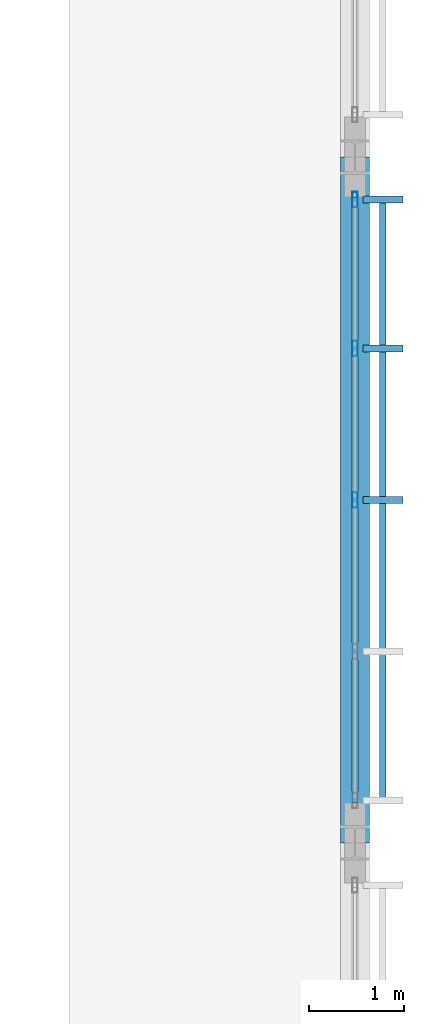
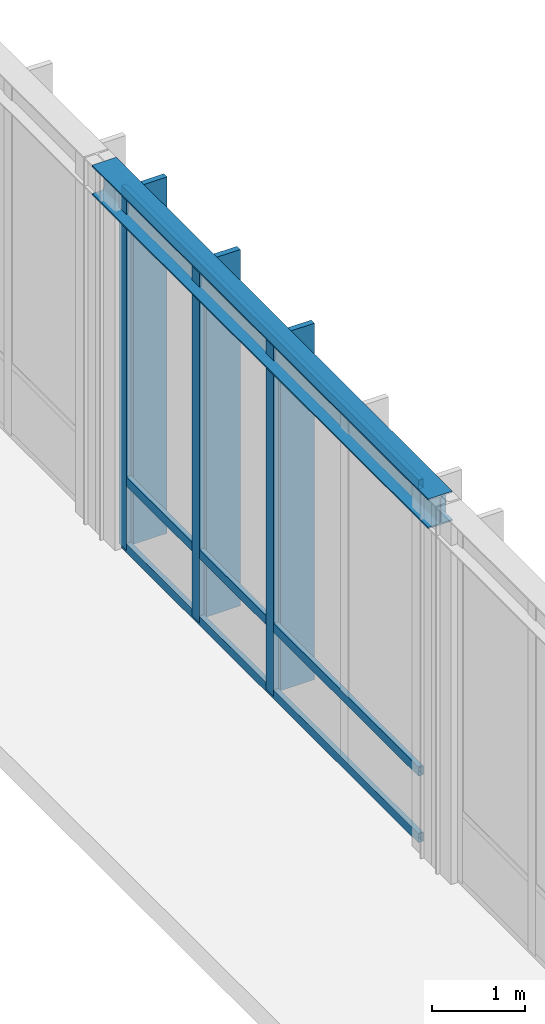
# One storey, part 111 of 177: 10 members, 1 beam, 1 element without a shape of its own.
"""IFC4 building model written with IfcOpenShell, lengths in metres."""

from ifc_helpers import new_model, si_unit, direction, frame, origin, origin_2d, place, context, subcontext, project, spatial, rectangle, hollow_rectangle, i_section, extrude, material, material_profile, profile_set, type_object, element, aggregate, save


model = new_model("IFC4")

# Units and contexts
model_context = context("Model", 3, precision=1e-05, world=origin(), true_north=direction((0.0, 1.0)))
body_context = subcontext(model_context, "Body", "Model", "MODEL_VIEW")
ifc_project = project(units=[si_unit("LENGTHUNIT", "METRE"), si_unit("AREAUNIT", "SQUARE_METRE"), si_unit("VOLUMEUNIT", "CUBIC_METRE"), si_unit("PLANEANGLEUNIT", "RADIAN"), si_unit("MASSUNIT", "GRAM", prefix="KILO")], contexts=[model_context])

# Site, building, storey
site_placement = place(None, origin())
site = spatial("IfcSite", under=ifc_project, at=site_placement, CompositionType="ELEMENT")
building_placement = place(site_placement, origin())
building = spatial("IfcBuilding", under=site, at=building_placement, Name="Chiffa Square Polytechnic", CompositionType="ELEMENT")
storey_placement = place(building_placement, frame((0.0, 0.0, 4.800048828125)))
storey = spatial("IfcBuildingStorey", under=building, at=storey_placement, Name="L01", CompositionType="ELEMENT", Elevation=4.800048828125)

# Beam
ifc_material_1 = material(Name="Steel S355", Category="steel")
ifc_material_profile_1 = material_profile(ifc_material_1, i_section(OverallWidth=0.300048828125, OverallDepth=0.389892578125, WebThickness=0.010986328125, FlangeThickness=0.01904296875, FilletRadius=0.027099609375, at=origin_2d()), Name="HEA 400")
ifc_profile_set_1 = profile_set([ifc_material_profile_1], Name="Steel S355")
beam_type = type_object("IfcBeamType", Name="BM-STL-HEA400", PredefinedType="BEAM", material=ifc_profile_set_1)
beam_placement = place(storey_placement, frame((175.199951171875, 72.60009765625, 4.60498046875), z_axis=(0.0, 1.0, 0.0), x_axis=(-1.0, 0.0, 0.0)))
element("IfcBeam", 1, at=beam_placement, inside=storey, type_object=beam_type, Name="Workshop east gable tie girder BM-V2-GBLTIE-E3", PredefinedType="BEAM", context=body_context, shape_type="SweptSolid", body=[
    extrude(i_section(OverallWidth=0.300048828125, OverallDepth=0.389892578125, WebThickness=0.010986328125, FlangeThickness=0.01904296875, FilletRadius=0.027099609375, at=origin_2d()), origin(), (0.0, 0.0, 1.0), 7.199951171875),
])

# Curtain wall, members
ifc_material_2 = material(Name="Aluminium EN AW-6060 T66 and glulam shading", Category="wood")
curtain_wall_type = type_object("IfcCurtainWallType", Name="CW-VERT-300X380", PredefinedType="USERDEFINED", material=ifc_material_2)
curtain_wall_placement = place(storey_placement, origin())
curtain_wall = element("IfcCurtainWall", 2, at=curtain_wall_placement, inside=storey, type_object=curtain_wall_type, Name="Curtain wall CW-V2-L01E-03", ObjectType="CURTAIN WALL", PredefinedType="USERDEFINED")
ifc_material_3 = material(Name="Aluminium EN AW-6060 T66", Category="aluminium")
ifc_material_profile_2 = material_profile(ifc_material_3, hollow_rectangle(XDim=0.06005859375, YDim=0.159912109375, WallThickness=0.00390625, at=origin_2d()), Name="ALU 60x160x4")
ifc_profile_set_2 = profile_set([ifc_material_profile_2], Name="Aluminium EN AW-6060 T66")
member_type_1 = type_object("IfcMemberType", Name="CWM-ALU-65X150", PredefinedType="MULLION", material=ifc_profile_set_2)
member_1_placement = place(storey_placement, frame((175.199951171875, 76.199951171875, 0.0400390625), z_axis=(0.0, 0.0, 1.0), x_axis=(1.0, 0.0, 0.0)))
member_1 = element("IfcMember", 3, at=member_1_placement, type_object=member_type_1, Name="Curtain wall mullion CW-V2-L01E-03-M02", PredefinedType="MULLION", context=body_context, shape_type="SweptSolid", body=[
    extrude(hollow_rectangle(XDim=0.06005859375, YDim=0.159912109375, WallThickness=0.00390625, at=origin_2d()), origin(), (0.0, 0.0, 1.0), 4.679931640625),
])
member_2_placement = place(storey_placement, frame((175.199951171875, 77.7900390625, 0.0400390625), z_axis=(0.0, 0.0, 1.0), x_axis=(1.0, 0.0, 0.0)))
member_2 = element("IfcMember", 4, at=member_2_placement, type_object=member_type_1, Name="Curtain wall mullion CW-V2-L01E-03-M03", PredefinedType="MULLION", context=body_context, shape_type="SweptSolid", body=[
    extrude(hollow_rectangle(XDim=0.06005859375, YDim=0.159912109375, WallThickness=0.00390625, at=origin_2d()), origin(), (0.0, 0.0, 1.0), 4.679931640625),
])
member_3_placement = place(storey_placement, frame((175.199951171875, 79.35498046875, 0.0400390625), z_axis=(0.0, 0.0, 1.0), x_axis=(1.0, 0.0, 0.0)))
member_3 = element("IfcMember", 5, at=member_3_placement, type_object=member_type_1, Name="Curtain wall mullion CW-V2-L01E-03-M04", PredefinedType="MULLION", context=body_context, shape_type="SweptSolid", body=[
    extrude(hollow_rectangle(XDim=0.06005859375, YDim=0.159912109375, WallThickness=0.00390625, at=origin_2d()), origin(), (0.0, 0.0, 1.0), 4.679931640625),
])
ifc_material_4 = material(Name="Glulam GL28h", Category="wood")
ifc_material_profile_3 = material_profile(ifc_material_4, rectangle(XDim=0.070068359375, YDim=0.419921875, at=origin_2d()), Name="GL28h 70x420")
ifc_profile_set_3 = profile_set([ifc_material_profile_3], Name="Glulam GL28h")
member_type_2 = type_object("IfcMemberType", Name="CWM-GL-70X420", PredefinedType="MULLION", material=ifc_profile_set_3)
member_4_placement = place(storey_placement, frame((175.491943359375, 76.199951171875, 0.050048828125), z_axis=(0.0, 0.0, 1.0), x_axis=(0.0, 1.0, 0.0)))
member_4 = element("IfcMember", 6, at=member_4_placement, type_object=member_type_2, Name="Exterior glulam solar fin CW-V2-L01E-03-FN02", PredefinedType="MULLION", context=body_context, shape_type="SweptSolid", body=[
    extrude(rectangle(XDim=0.070068359375, YDim=0.419921875, at=origin_2d()), origin(), (0.0, 0.0, 1.0), 4.659912109375),
])
member_5_placement = place(storey_placement, frame((175.491943359375, 77.7900390625, 0.050048828125), z_axis=(0.0, 0.0, 1.0), x_axis=(0.0, 1.0, 0.0)))
member_5 = element("IfcMember", 7, at=member_5_placement, type_object=member_type_2, Name="Exterior glulam solar fin CW-V2-L01E-03-FN03", PredefinedType="MULLION", context=body_context, shape_type="SweptSolid", body=[
    extrude(rectangle(XDim=0.070068359375, YDim=0.419921875, at=origin_2d()), origin(), (0.0, 0.0, 1.0), 4.659912109375),
])
member_6_placement = place(storey_placement, frame((175.491943359375, 79.35498046875, 0.050048828125), z_axis=(0.0, 0.0, 1.0), x_axis=(0.0, 1.0, 0.0)))
member_6 = element("IfcMember", 8, at=member_6_placement, type_object=member_type_2, Name="Exterior glulam solar fin CW-V2-L01E-03-FN04", PredefinedType="MULLION", context=body_context, shape_type="SweptSolid", body=[
    extrude(rectangle(XDim=0.070068359375, YDim=0.419921875, at=origin_2d()), origin(), (0.0, 0.0, 1.0), 4.659912109375),
])
ifc_material_profile_4 = material_profile(ifc_material_3, hollow_rectangle(XDim=0.06005859375, YDim=0.1201171875, WallThickness=0.00390625, at=origin_2d()), Name="ALU 60x120x4")
ifc_profile_set_4 = profile_set([ifc_material_profile_4], Name="Aluminium EN AW-6060 T66")
member_type_3 = type_object("IfcMemberType", Name="CWT-ALU-65X120", PredefinedType="USERDEFINED", material=ifc_profile_set_4)
member_7_placement = place(storey_placement, frame((175.199951171875, 73.01806640625, 0.070068359375), z_axis=(0.0, 1.0, 0.0), x_axis=(-1.0, 0.0, 0.0)))
member_7 = element("IfcMember", 9, at=member_7_placement, type_object=member_type_3, Name="Curtain wall transom CW-V2-L01E-03-T01", ObjectType="TRANSOM", PredefinedType="USERDEFINED", context=body_context, shape_type="SweptSolid", body=[
    extrude(hollow_rectangle(XDim=0.06005859375, YDim=0.1201171875, WallThickness=0.00390625, at=origin_2d()), origin(), (0.0, 0.0, 1.0), 6.364013671875),
])
member_8_placement = place(storey_placement, frame((175.199951171875, 73.01806640625, 0.93994140625), z_axis=(0.0, 1.0, 0.0), x_axis=(-1.0, 0.0, 0.0)))
member_8 = element("IfcMember", 10, at=member_8_placement, type_object=member_type_3, Name="Curtain wall transom CW-V2-L01E-03-T02", ObjectType="TRANSOM", PredefinedType="USERDEFINED", context=body_context, shape_type="SweptSolid", body=[
    extrude(hollow_rectangle(XDim=0.06005859375, YDim=0.1201171875, WallThickness=0.00390625, at=origin_2d()), origin(), (0.0, 0.0, 1.0), 6.364013671875),
])
member_9_placement = place(storey_placement, frame((175.199951171875, 73.01806640625, 4.68994140625), z_axis=(0.0, 1.0, 0.0), x_axis=(-1.0, 0.0, 0.0)))
member_9 = element("IfcMember", 11, at=member_9_placement, type_object=member_type_3, Name="Curtain wall transom CW-V2-L01E-03-T03", ObjectType="TRANSOM", PredefinedType="USERDEFINED", context=body_context, shape_type="SweptSolid", body=[
    extrude(hollow_rectangle(XDim=0.06005859375, YDim=0.1201171875, WallThickness=0.00390625, at=origin_2d()), origin(), (0.0, 0.0, 1.0), 6.364013671875),
])
ifc_material_profile_5 = material_profile(ifc_material_4, rectangle(XDim=0.070068359375, YDim=0.419921875, at=origin_2d()), Name="GL28h 70x420")
ifc_profile_set_5 = profile_set([ifc_material_profile_5], Name="Glulam GL28h")
member_type_4 = type_object("IfcMemberType", Name="CWT-GL-70X420", PredefinedType="USERDEFINED", material=ifc_profile_set_5)
member_10_placement = place(storey_placement, frame((175.491943359375, 73.044921875, 4.33984375), z_axis=(0.0, 1.0, 0.0), x_axis=(-1.0, 0.0, 0.0)))
member_10 = element("IfcMember", 12, at=member_10_placement, type_object=member_type_4, Name="Exterior glulam brise-soleil CW-V2-L01E-03-BS01", ObjectType="TRANSOM", PredefinedType="USERDEFINED", context=body_context, shape_type="SweptSolid", body=[
    extrude(rectangle(XDim=0.070068359375, YDim=0.419921875, at=origin_2d()), origin(), (0.0, 0.0, 1.0), 6.31005859375),
])
aggregate(curtain_wall, [member_1, member_4, member_2, member_5, member_3, member_6, member_7, member_8, member_9, member_10])

save(model, "model.ifc")
